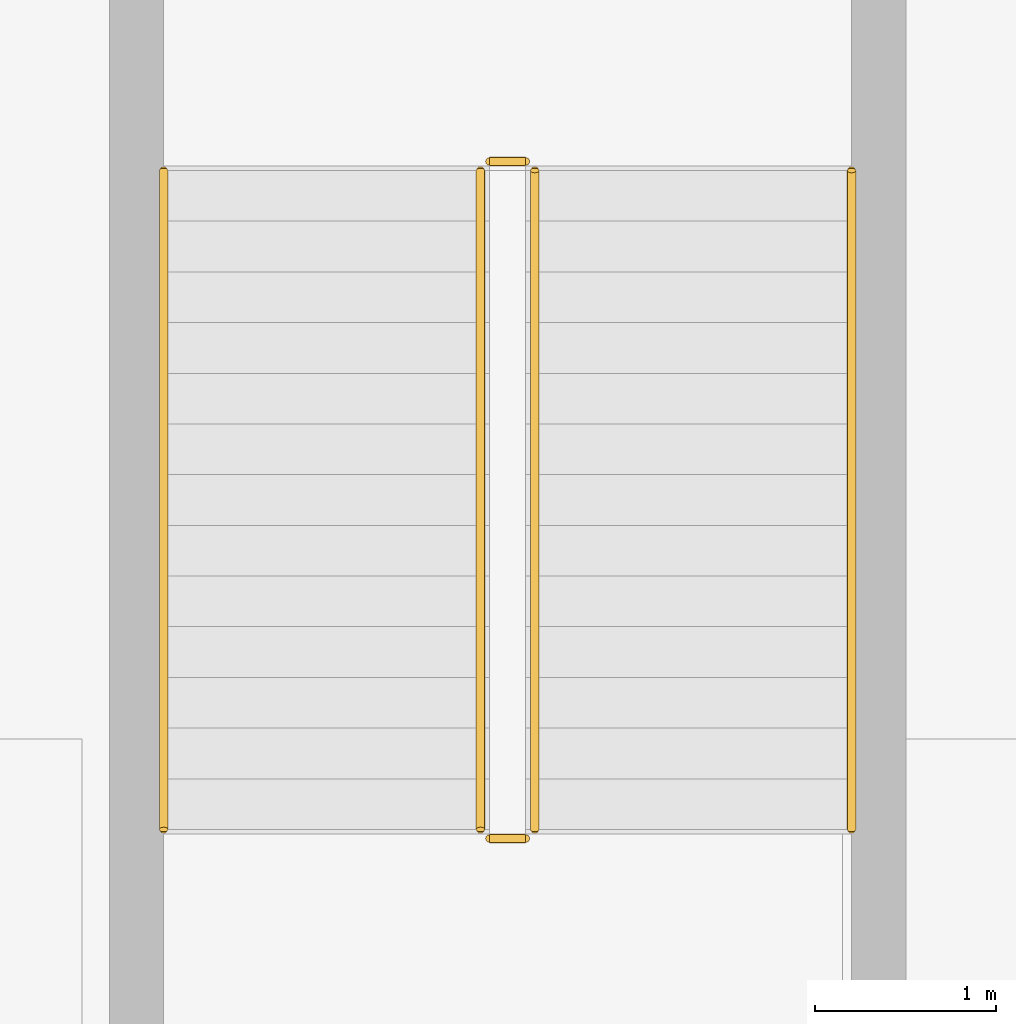
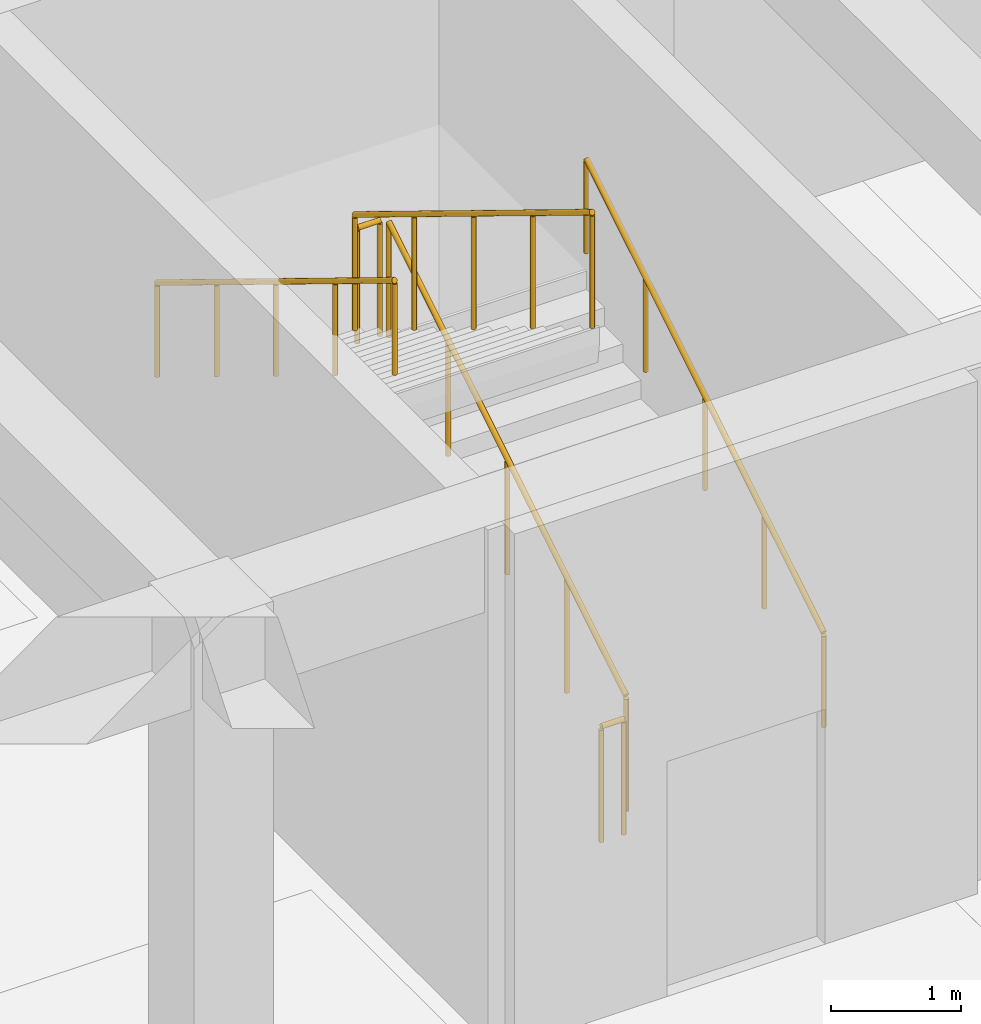
# One storey, part 50 of 51: 6 railings.
"""IFC4 building model written with IfcOpenShell, lengths in metres."""

from ifc_helpers import new_model, si_unit, direction, frame, origin, origin_2d, place, context, subcontext, project, spatial, circle, extrude, material, type_object, element, save


model = new_model("IFC4")

# Units and contexts
model_context = context("Model", 3, precision=1e-05, world=origin(), true_north=direction((0.0, 1.0)))
body_context = subcontext(model_context, "Body", "Model", "MODEL_VIEW")
ifc_project = project(units=[si_unit("LENGTHUNIT", "METRE"), si_unit("AREAUNIT", "SQUARE_METRE"), si_unit("VOLUMEUNIT", "CUBIC_METRE"), si_unit("PLANEANGLEUNIT", "RADIAN"), si_unit("MASSUNIT", "GRAM", prefix="KILO")], contexts=[model_context])

# Site, building, storey
site_placement = place(None, origin())
site = spatial("IfcSite", under=ifc_project, at=site_placement, CompositionType="ELEMENT")
building_placement = place(site_placement, origin())
building = spatial("IfcBuilding", under=site, at=building_placement, Name="Varncliffe General Hospital", CompositionType="ELEMENT")
storey_placement = place(building_placement, frame((0.0, 0.0, -4.800048828125)))
storey = spatial("IfcBuildingStorey", under=building, at=storey_placement, Name="B1", CompositionType="ELEMENT", Elevation=-4.800048828125)

# Railings
ifc_material = material(Name="Powder-coated hospital steel guardrail and handrail", Category="steel")
railing_type_1 = type_object("IfcRailingType", Name="Stair and Ramp Handrail HR46", PredefinedType="HANDRAIL", material=ifc_material)
railing_1_placement = place(storey_placement, frame((165.949951171875, 118.0, 0.346923828125)))
element("IfcRailing", 1, at=railing_1_placement, inside=storey, type_object=railing_type_1, Name="B1 ST04 stair handrail 1", PredefinedType="HANDRAIL", context=body_context, shape_type="SweptSolid", body=[
    extrude(circle(Radius=0.02392578125, at=origin_2d()), frame((0.0, 0.0, 0.8759765625), z_axis=(0.0, 0.852850264322, 0.5221555579), x_axis=(-1.0, 0.0, 0.0)), (0.0, 0.0, 1.0), 4.267822265625),
    extrude(circle(Radius=0.02099609375, at=origin_2d()), origin(), (0.0, 0.0, 1.0), 0.851806640625),
    extrude(circle(Radius=0.02099609375, at=origin_2d()), frame((0.0, 0.909912109375, 0.55712890625)), (0.0, 0.0, 1.0), 0.851806640625),
    extrude(circle(Radius=0.02099609375, at=origin_2d()), frame((0.0, 1.81982421875, 1.1142578125)), (0.0, 0.0, 1.0), 0.851806640625),
    extrude(circle(Radius=0.02099609375, at=origin_2d()), frame((0.0, 2.72998046875, 1.67138671875)), (0.0, 0.0, 1.0), 0.851806640625),
    extrude(circle(Radius=0.02099609375, at=origin_2d()), frame((0.0, 3.639892578125, 2.228515625)), (0.0, 0.0, 1.0), 0.851806640625),
])
railing_2_placement = place(storey_placement, frame((162.14990234375, 121.639892578125, 2.746826171875)))
element("IfcRailing", 2, at=railing_2_placement, inside=storey, type_object=railing_type_1, Name="B1 ST04 stair handrail 2", PredefinedType="HANDRAIL", context=body_context, shape_type="SweptSolid", body=[
    extrude(circle(Radius=0.02392578125, at=origin_2d()), frame((0.0, 0.0, 0.8759765625), z_axis=(0.0, -0.852824790078, 0.522197163366), x_axis=(1.0, 0.0, 0.0)), (0.0, 0.0, 1.0), 4.26806640625),
    extrude(circle(Radius=0.02099609375, at=origin_2d()), origin(), (0.0, 0.0, 1.0), 0.851806640625),
    extrude(circle(Radius=0.02099609375, at=origin_2d()), frame((0.0, -0.909912109375, 0.55712890625)), (0.0, 0.0, 1.0), 0.851806640625),
    extrude(circle(Radius=0.02099609375, at=origin_2d()), frame((0.0, -1.81982421875, 1.1142578125)), (0.0, 0.0, 1.0), 0.851806640625),
    extrude(circle(Radius=0.02099609375, at=origin_2d()), frame((0.0, -2.72998046875, 1.671630859375)), (0.0, 0.0, 1.0), 0.851806640625),
    extrude(circle(Radius=0.02099609375, at=origin_2d()), frame((0.0, -3.639892578125, 2.228759765625)), (0.0, 0.0, 1.0), 0.851806640625),
])
railing_type_2 = type_object("IfcRailingType", Name="Stairwell Guardrail SG49", PredefinedType="GUARDRAIL", material=ifc_material)
railing_3_placement = place(storey_placement, frame((164.199951171875, 118.0, 0.17138671875)))
element("IfcRailing", 3, at=railing_3_placement, inside=storey, type_object=railing_type_2, Name="B1 ST04 stair guard 1", PredefinedType="GUARDRAIL", context=body_context, shape_type="SweptSolid", body=[
    extrude(circle(Radius=0.02392578125, at=origin_2d()), frame((0.0, 0.0, 1.076171875), z_axis=(0.0, 0.852824790078, 0.522197163366), x_axis=(-1.0, 0.0, 0.0)), (0.0, 0.0, 1.0), 4.26806640625),
    extrude(circle(Radius=0.02099609375, at=origin_2d()), origin(), (0.0, 0.0, 1.0), 1.052001953125),
    extrude(circle(Radius=0.02099609375, at=origin_2d()), frame((0.0, 0.909912109375, 0.55712890625)), (0.0, 0.0, 1.0), 1.052001953125),
    extrude(circle(Radius=0.02099609375, at=origin_2d()), frame((0.0, 1.81982421875, 1.1142578125)), (0.0, 0.0, 1.0), 1.052001953125),
    extrude(circle(Radius=0.02099609375, at=origin_2d()), frame((0.0, 2.72998046875, 1.671630859375)), (0.0, 0.0, 1.0), 1.052001953125),
    extrude(circle(Radius=0.02099609375, at=origin_2d()), frame((0.0, 3.639892578125, 2.228759765625)), (0.0, 0.0, 1.0), 1.052001953125),
])
railing_4_placement = place(storey_placement, frame((164.14990234375, 121.68994140625, 2.400146484375)))
element("IfcRailing", 4, at=railing_4_placement, inside=storey, type_object=railing_type_2, Name="B1 ST04 stair guard 2", PredefinedType="GUARDRAIL", context=body_context, shape_type="SweptSolid", body=[
    extrude(circle(Radius=0.02392578125, at=origin_2d()), frame((0.0, 0.0, 1.076171875), z_axis=(-1.0, 0.0, 0.0), x_axis=(0.0, -1.0, 0.0)), (0.0, 0.0, 1.0), 0.199951171875),
    extrude(circle(Radius=0.02099609375, at=origin_2d()), origin(), (0.0, 0.0, 1.0), 1.052001953125),
    extrude(circle(Radius=0.02099609375, at=origin_2d()), frame((-0.199951171875, 0.0, 0.0)), (0.0, 0.0, 1.0), 1.052001953125),
])
railing_5_placement = place(storey_placement, frame((163.89990234375, 121.639892578125, 2.571533203125)))
element("IfcRailing", 5, at=railing_5_placement, inside=storey, type_object=railing_type_2, Name="B1 ST04 stair guard 3", PredefinedType="GUARDRAIL", context=body_context, shape_type="SweptSolid", body=[
    extrude(circle(Radius=0.02392578125, at=origin_2d()), frame((0.0, 0.0, 1.076171875), z_axis=(0.0, -0.852850264322, 0.5221555579), x_axis=(1.0, 0.0, 0.0)), (0.0, 0.0, 1.0), 4.267822265625),
    extrude(circle(Radius=0.02099609375, at=origin_2d()), origin(), (0.0, 0.0, 1.0), 1.052001953125),
    extrude(circle(Radius=0.02099609375, at=origin_2d()), frame((0.0, -0.909912109375, 0.55712890625)), (0.0, 0.0, 1.0), 1.052001953125),
    extrude(circle(Radius=0.02099609375, at=origin_2d()), frame((0.0, -1.81982421875, 1.1142578125)), (0.0, 0.0, 1.0), 1.052001953125),
    extrude(circle(Radius=0.02099609375, at=origin_2d()), frame((0.0, -2.72998046875, 1.67138671875)), (0.0, 0.0, 1.0), 1.052001953125),
    extrude(circle(Radius=0.02099609375, at=origin_2d()), frame((0.0, -3.639892578125, 2.228515625)), (0.0, 0.0, 1.0), 1.052001953125),
])
railing_6_placement = place(storey_placement, frame((164.14990234375, 117.949951171875, 0.0)))
element("IfcRailing", 6, at=railing_6_placement, inside=storey, type_object=railing_type_2, Name="B1 ST04 stair guard 4", PredefinedType="GUARDRAIL", context=body_context, shape_type="SweptSolid", body=[
    extrude(circle(Radius=0.02392578125, at=origin_2d()), frame((0.0, 0.0, 1.076171875), z_axis=(-1.0, 0.0, 0.0), x_axis=(0.0, -1.0, 0.0)), (0.0, 0.0, 1.0), 0.199951171875),
    extrude(circle(Radius=0.02099609375, at=origin_2d()), origin(), (0.0, 0.0, 1.0), 1.052001953125),
    extrude(circle(Radius=0.02099609375, at=origin_2d()), frame((-0.199951171875, 0.0, 0.0)), (0.0, 0.0, 1.0), 1.052001953125),
])

save(model, "model.ifc")
